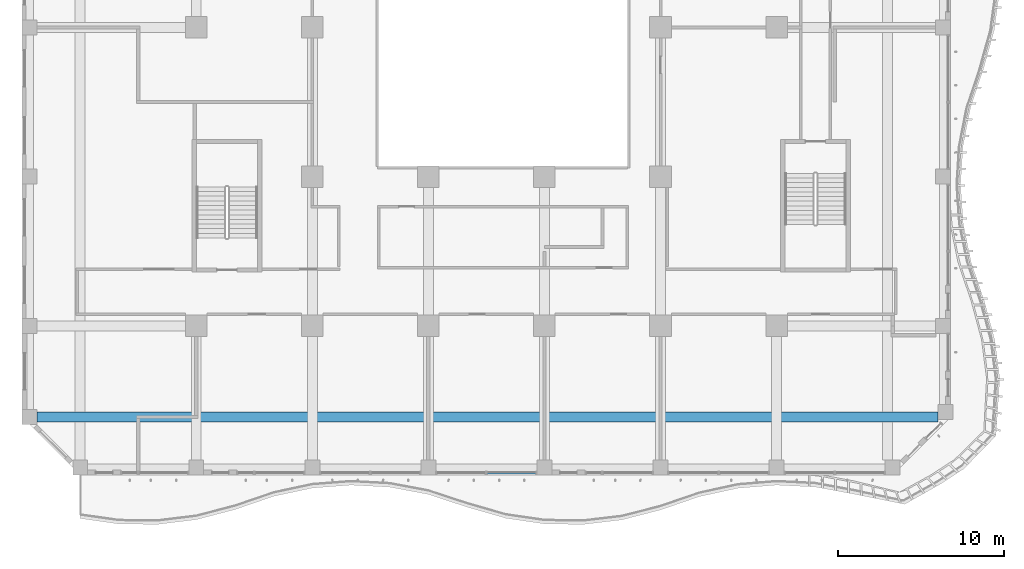
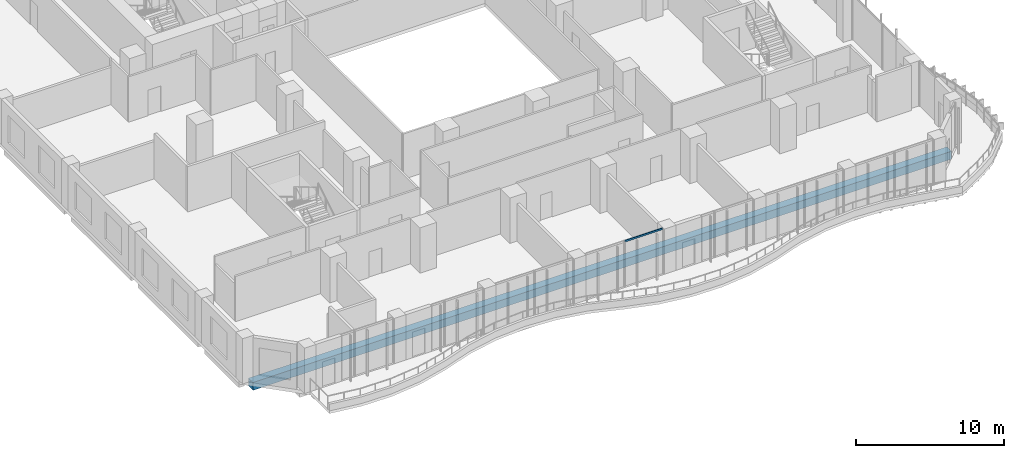
# One storey, part 3 of 27: 1 beam, 1 member, 1 element without a shape of its own.
"""IFC4 building model written with IfcOpenShell, lengths in metres."""

import ifcopenshell
import ifcopenshell.guid

model = None  # the IFC model being written
_history = None  # IfcOwnerHistory: only IFC2X3 demands one
_inside = {}  # id of a spatial element -> (the spatial element, [elements in it])
_under = {}  # id of a project, library or spatial element -> (it, [spatial elements below it])
_declared = {}  # id of a project -> (the project, [libraries it declares])
_typed = {}  # id of a type object -> (the type object, [elements of that type])
_made_of = {}  # id of a material, layer set ... -> (it, [elements and type objects made of it])


def new_model(schema):
    """Start an empty IFC model of exactly this schema.

    Asked for "IFC4X3", IfcOpenShell would pick the latest addendum, in which some entities
    have other attributes; the version numbers below select the first issue.
    IFC2X3 requires an IfcOwnerHistory on every rooted entity: one is made here for all.
    """
    global model, _history
    if schema == "IFC4X3":
        model = ifcopenshell.file(schema_version=(4, 3, 0, 0))
    else:
        model = ifcopenshell.file(schema=schema)
    _inside.clear()
    _under.clear()
    _declared.clear()
    _typed.clear()
    _made_of.clear()
    _history = None
    if model.schema == "IFC2X3":
        org = make("IfcOrganization", Name="unknown")
        user = make(
            "IfcPersonAndOrganization",
            ThePerson=make("IfcPerson", FamilyName="unknown"),
            TheOrganization=org,
        )
        app = make(
            "IfcApplication",
            ApplicationDeveloper=org,
            Version="unknown",
            ApplicationFullName="unknown",
            ApplicationIdentifier="unknown",
        )
        _history = make(
            "IfcOwnerHistory",
            OwningUser=user,
            OwningApplication=app,
            ChangeAction="ADDED",
            CreationDate=0,
        )
    return model


def make(cls, **values):
    """One entity of the class cls with the attributes given. An attribute that is None is left unset."""
    return model.create_entity(
        cls, **{name: value for name, value in values.items() if value is not None}
    )


def rooted(cls, **values):
    """An entity with a GlobalId (a new one), such as an element, a storey or a relation."""
    return make(cls, GlobalId=ifcopenshell.guid.new(), OwnerHistory=_history, **values)


def si_unit(unit_type, name, prefix=None):
    """IfcSIUnit, for example si_unit("LENGTHUNIT", "METRE", prefix="MILLI")."""
    return make("IfcSIUnit", UnitType=unit_type, Prefix=prefix, Name=name)


def assignment(units):
    """IfcUnitAssignment: the units of a project."""
    return None if units is None else make("IfcUnitAssignment", Units=units)


def point(xyz):
    """IfcCartesianPoint."""
    return None if xyz is None else make("IfcCartesianPoint", Coordinates=xyz)


def direction(xyz):
    """IfcDirection."""
    return None if xyz is None else make("IfcDirection", DirectionRatios=xyz)


def frame(location, z_axis=None, x_axis=None):
    """IfcAxis2Placement3D, a coordinate frame: its origin and axes. An axis left out is left unset."""
    return make(
        "IfcAxis2Placement3D",
        Location=point(location),
        Axis=direction(z_axis),
        RefDirection=direction(x_axis),
    )


def frame_2d(location, x_axis=None):
    """IfcAxis2Placement2D, a coordinate frame in the plane: its origin and x axis."""
    return make(
        "IfcAxis2Placement2D", Location=point(location), RefDirection=direction(x_axis)
    )


def origin():
    """The frame at (0, 0, 0) with its axes left unset."""
    return frame((0.0, 0.0, 0.0))


def origin_2d():
    """The frame at (0, 0) in the plane with its x axis left unset."""
    return frame_2d((0.0, 0.0))


def place(relative_to, where):
    """IfcLocalPlacement: puts the frame where relative to a parent placement (None: the world)."""
    return make(
        "IfcLocalPlacement", PlacementRelTo=relative_to, RelativePlacement=where
    )


def context(
    kind, dimensions, precision=None, world=None, true_north=None, identifier=None
):
    """IfcGeometricRepresentationContext, for example the 3D "Model" context."""
    return make(
        "IfcGeometricRepresentationContext",
        ContextIdentifier=identifier,
        ContextType=kind,
        CoordinateSpaceDimension=dimensions,
        Precision=precision,
        WorldCoordinateSystem=world,
        TrueNorth=true_north,
    )


def subcontext(parent, identifier, kind, view, scale=None):
    """IfcGeometricRepresentationSubContext, for example "Body" below "Model"."""
    return make(
        "IfcGeometricRepresentationSubContext",
        ContextIdentifier=identifier,
        ContextType=kind,
        ParentContext=parent,
        TargetScale=scale,
        TargetView=view,
    )


def project(units=None, contexts=None):
    """IfcProject with its units and contexts."""
    return rooted(
        "IfcProject",
        Name="project",
        RepresentationContexts=contexts,
        UnitsInContext=assignment(units),
    )


def spatial(cls, under=None, at=None, **own):
    """A site, building, storey or space (cls), placed at a placement, below another one or the project."""
    s = rooted(cls, ObjectPlacement=at, **own)
    if under is not None:
        _under.setdefault(under.id(), (under, []))[1].append(s)
    return s


def profile(cls, at=None, kind="AREA", **sizes):
    """A parametric profile (cls). Its sizes go by their IFC names, for example OverallWidth=200.0."""
    return make(cls, ProfileType=kind, Position=at, **sizes)


def rectangle(**sizes):
    """IfcRectangleProfileDef."""
    return profile("IfcRectangleProfileDef", **sizes)


def extrude(swept, where, along, depth):
    """IfcExtrudedAreaSolid: the profile swept, set in the frame where, extruded along a direction by depth."""
    return make(
        "IfcExtrudedAreaSolid",
        SweptArea=swept,
        Position=where,
        ExtrudedDirection=direction(along),
        Depth=depth,
    )


def shape(context_of_items, identifier, shape_type, items):
    """IfcShapeRepresentation: the items that make up one representation, for example the "Body"."""
    return make(
        "IfcShapeRepresentation",
        ContextOfItems=context_of_items,
        RepresentationIdentifier=identifier,
        RepresentationType=shape_type,
        Items=items,
    )


def source(mapping_origin, context_of_items, identifier, shape_type, items):
    """IfcRepresentationMap: a shape defined once, which mapped items show again and again."""
    return make(
        "IfcRepresentationMap",
        MappingOrigin=mapping_origin,
        MappedRepresentation=shape(context_of_items, identifier, shape_type, items),
    )


def transform(
    local_origin,
    x_axis=None,
    y_axis=None,
    z_axis=None,
    scale=None,
    scale2=None,
    scale3=None,
    uniform=True,
):
    """IfcCartesianTransformationOperator3D, or its non-uniform kind. x_axis, y_axis, z_axis: its Axis1, 2, 3."""
    if uniform:
        return make(
            "IfcCartesianTransformationOperator3D",
            Axis1=direction(x_axis),
            Axis2=direction(y_axis),
            LocalOrigin=point(local_origin),
            Scale=scale,
            Axis3=direction(z_axis),
        )
    return make(
        "IfcCartesianTransformationOperator3DnonUniform",
        Axis1=direction(x_axis),
        Axis2=direction(y_axis),
        LocalOrigin=point(local_origin),
        Scale=scale,
        Axis3=direction(z_axis),
        Scale2=scale2,
        Scale3=scale3,
    )


def mapped(mapping_source, mapping_target):
    """IfcMappedItem: shows the shape of a source again, moved by a transform."""
    return make(
        "IfcMappedItem", MappingSource=mapping_source, MappingTarget=mapping_target
    )


def material(Name=None, Category=None):
    """IfcMaterial."""
    return make("IfcMaterial", Name=Name, Category=Category)


def material_profile(
    of_material, cross_section, Name=None, Category=None, Priority=None
):
    """IfcMaterialProfile: a cross section and its material."""
    return make(
        "IfcMaterialProfile",
        Name=Name,
        Material=of_material,
        Profile=cross_section,
        Priority=Priority,
        Category=Category,
    )


def profile_set(profiles, Name=None, composite=None):
    """IfcMaterialProfileSet."""
    return make(
        "IfcMaterialProfileSet",
        Name=Name,
        MaterialProfiles=profiles,
        CompositeProfile=composite,
    )


def made_of(thing, what):
    """Note that an element or type object is made of a material, layer set ...; save() writes the relation."""
    if what is not None:
        _made_of.setdefault(what.id(), (what, []))[1].append(thing)
    return thing


def type_object(cls, material=None, **own):
    """A type object (cls), such as IfcWallType, which elements share."""
    return made_of(rooted(cls, **own), material)


def element(
    cls,
    number,
    at=None,
    inside=None,
    cuts=None,
    type_object=None,
    material=None,
    context=None,
    identifier="Body",
    shape_type=None,
    held_by="IfcProductDefinitionShape",
    body=None,
    shapes=None,
    **own,
):
    """One element of the class cls, such as IfcWall. Its Tag is "e" and its number.

    at: its placement. inside: the storey or other place that contains it. cuts: it is an
    opening in that element (IfcRelVoidsElement). A single representation is given by context,
    identifier, shape_type and body (its items); several are given by shapes. held_by: the class
    of the entity that holds the representations. save() writes the other relations.
    """
    e = rooted(cls, Tag="e%d" % number, ObjectPlacement=at, **own)
    if body is not None:
        shapes = [shape(context, identifier, shape_type, body)]
    if shapes is not None:
        e.Representation = make(held_by, Representations=shapes)
    if inside is not None:
        _inside.setdefault(inside.id(), (inside, []))[1].append(e)
    if cuts is not None:
        rooted(
            "IfcRelVoidsElement", RelatingBuildingElement=cuts, RelatedOpeningElement=e
        )
    if type_object is not None:
        _typed.setdefault(type_object.id(), (type_object, []))[1].append(e)
    return made_of(e, material)


def aggregate(whole, parts):
    """IfcRelAggregates: a whole, such as a stair, and the parts it consists of."""
    return rooted("IfcRelAggregates", RelatingObject=whole, RelatedObjects=parts)


def save(model, path):
    """Write the relations noted so far, then the file.

    IfcRelAggregates (storeys below a building ...), IfcRelContainedInSpatialStructure (elements
    in a storey), IfcRelDefinesByType, IfcRelAssociatesMaterial and IfcRelDeclares: one each for
    every whole, place, type object, material and project.
    """
    for whole, parts in _under.values():
        aggregate(whole, parts)
    for where, things in _inside.values():
        rooted(
            "IfcRelContainedInSpatialStructure",
            RelatedElements=things,
            RelatingStructure=where,
        )
    for kind, things in _typed.values():
        rooted("IfcRelDefinesByType", RelatedObjects=things, RelatingType=kind)
    for what, things in _made_of.values():
        rooted("IfcRelAssociatesMaterial", RelatedObjects=things, RelatingMaterial=what)
    for by, libraries in _declared.values():
        rooted("IfcRelDeclares", RelatingContext=by, RelatedDefinitions=libraries)
    model.write(path)


model = new_model("IFC4")

# Units and contexts
model_context = context("Model", 3, precision=1e-05, world=origin(), true_north=direction((0.0, 1.0)))
body_context = subcontext(model_context, "Body", "Model", "MODEL_VIEW")
ifc_project = project(units=[si_unit("LENGTHUNIT", "METRE"), si_unit("AREAUNIT", "SQUARE_METRE"), si_unit("VOLUMEUNIT", "CUBIC_METRE"), si_unit("PLANEANGLEUNIT", "RADIAN"), si_unit("MASSUNIT", "GRAM", prefix="KILO")], contexts=[model_context])

# Site, building, storey
site_placement = place(None, origin())
site = spatial("IfcSite", under=ifc_project, at=site_placement, CompositionType="ELEMENT")
building_placement = place(site_placement, origin())
building = spatial("IfcBuilding", under=site, at=building_placement, Name="Kilnfold Tower and Market Hall", CompositionType="ELEMENT")
storey_placement = place(building_placement, frame((0.0, 0.0, 51.0)))
storey = spatial("IfcBuildingStorey", under=building, at=storey_placement, Name="L11", CompositionType="ELEMENT", Elevation=51.0)

# Beam
ifc_material_1 = material(Name="Concrete C45", Category="concrete")
ifc_material_profile_1 = material_profile(ifc_material_1, rectangle(XDim=0.60009765625, YDim=0.64990234375, at=origin_2d()), Name="RC 600x650")
ifc_profile_set_1 = profile_set([ifc_material_profile_1], Name="Concrete C45")
beam_type = type_object("IfcBeamType", Name="BEAM 600X650 C45", PredefinedType="BEAM", material=ifc_profile_set_1)
shared_shape_1 = source(origin(), body_context, "Body", "SweptSolid", [
    extrude(rectangle(XDim=0.60009765625, YDim=0.64990234375, at=origin_2d()), origin(), (0.0, 0.0, 1.0), 54.331787109375),
])
beam_placement = place(storey_placement, frame((-27.10009765625, -24.5, -0.60498046875), z_axis=(1.0, 0.0, 0.0), x_axis=(0.0, 1.0, 0.0)))
element("IfcBeam", 1, at=beam_placement, inside=storey, type_object=beam_type, Name="Beam BB650-B1.55", PredefinedType="BEAM", context=body_context, shape_type="MappedRepresentation", body=[
    mapped(shared_shape_1, transform((0.0, 0.0, 0.0))),
])

# Curtain wall, member
ifc_material_2 = material(Name="Aluminium and double glazing", Category="aluminium")
curtain_wall_type = type_object("IfcCurtainWallType", Name="CW OF1 VALLEY GLAZING", PredefinedType="NOTDEFINED", material=ifc_material_2)
curtain_wall_placement = place(storey_placement, origin())
curtain_wall = element("IfcCurtainWall", 2, at=curtain_wall_placement, inside=storey, type_object=curtain_wall_type, Name="Curtain wall CW1 L11 S", PredefinedType="NOTDEFINED")
ifc_material_3 = material(Name="Aluminium", Category="aluminium")
ifc_material_profile_2 = material_profile(ifc_material_3, rectangle(XDim=0.06005859375, YDim=0.139892578125, at=origin_2d()), Name="TRANSOM 60x140")
ifc_profile_set_2 = profile_set([ifc_material_profile_2], Name="Aluminium")
member_type = type_object("IfcMemberType", Name="TRANSOM 60X140", PredefinedType="USERDEFINED", material=ifc_profile_set_2)
shared_shape_2 = source(origin(), body_context, "Body", "SweptSolid", [
    extrude(rectangle(XDim=0.06005859375, YDim=0.139892578125, at=origin_2d()), origin(), (0.0, 0.0, 1.0), 2.929931640625),
])
member_placement = place(storey_placement, frame((0.06005859375, -27.85009765625, 3.68994140625), z_axis=(1.0, 0.0, 0.0), x_axis=(0.0, 1.0, 0.0)))
member = element("IfcMember", 3, at=member_placement, type_object=member_type, Name="CW1 transom 1.2", ObjectType="TRANSOM", PredefinedType="USERDEFINED", context=body_context, shape_type="MappedRepresentation", body=[
    mapped(shared_shape_2, transform((0.0, 0.0, 0.0))),
])
aggregate(curtain_wall, [member])

save(model, "model.ifc")
